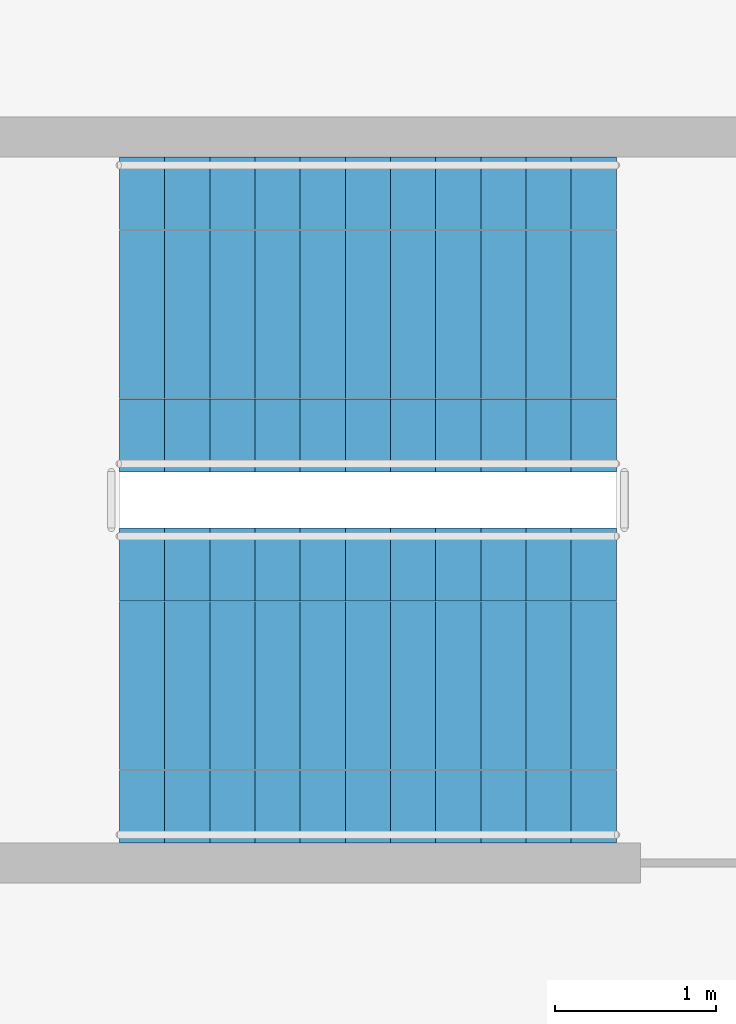
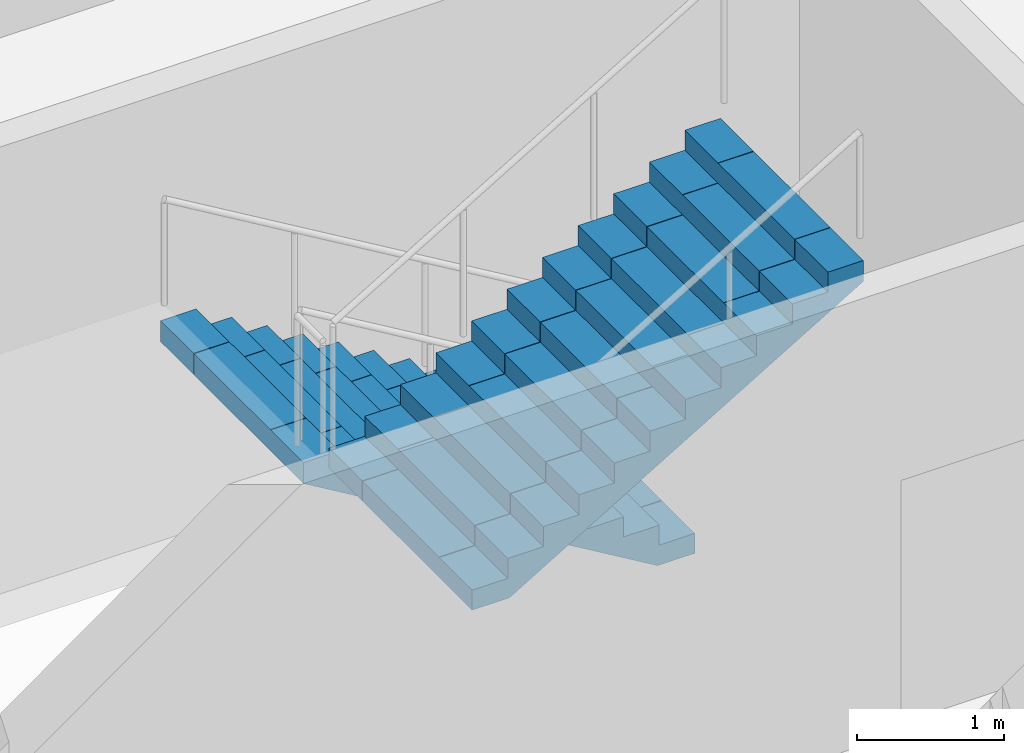
# One storey, part 13 of 15: 2 stair flights, 1 element without a shape of its own.
"""IFC4 building model written with IfcOpenShell, lengths in metres."""

from ifc_helpers import new_model, si_unit, direction, frame, origin, place, context, subcontext, project, spatial, polyline, outline, extrude, material, type_object, element, aggregate, save


model = new_model("IFC4")

# Units and contexts
model_context = context("Model", 3, precision=1e-05, world=origin(), true_north=direction((0.0, 1.0)))
body_context = subcontext(model_context, "Body", "Model", "MODEL_VIEW")
ifc_project = project(units=[si_unit("LENGTHUNIT", "METRE"), si_unit("AREAUNIT", "SQUARE_METRE"), si_unit("VOLUMEUNIT", "CUBIC_METRE"), si_unit("PLANEANGLEUNIT", "RADIAN"), si_unit("MASSUNIT", "GRAM", prefix="KILO")], contexts=[model_context])

# Site, building, storey
site_placement = place(None, origin())
site = spatial("IfcSite", under=ifc_project, at=site_placement, CompositionType="ELEMENT")
building_placement = place(site_placement, origin())
building = spatial("IfcBuilding", under=site, at=building_placement, Name="Corbelhall Arena Tower", CompositionType="ELEMENT")
storey_placement = place(building_placement, frame((0.0, 0.0, 200.0)))
storey = spatial("IfcBuildingStorey", under=building, at=storey_placement, Name="L41", CompositionType="ELEMENT", Elevation=200.0)

# Stair, stair flights
ifc_material = material(Name="Concrete C40/50", Category="concrete")
stair_type = type_object("IfcStairType", Name="IN-ST-TOWER", PredefinedType="HALF_TURN_STAIR", material=ifc_material)
stair_placement = place(storey_placement, origin())
stair = element("IfcStair", 1, at=stair_placement, inside=storey, type_object=stair_type, Name="L41 Exit stair ST3", PredefinedType="HALF_TURN_STAIR")
stair_flight_type = type_object("IfcStairFlightType", Name="IN-SFL-RC", PredefinedType="STRAIGHT", material=ifc_material)
stair_flight_1_placement = place(storey_placement, frame((11.425048828125, 15.699951171875, 0.0), z_axis=(0.0, 0.0, 1.0), x_axis=(-1.0, 0.0, 0.0)))
stair_flight_1 = element("IfcStairFlight", 2, at=stair_flight_1_placement, type_object=stair_flight_type, Name="ST3 flight 1", NumberOfRisers=12, NumberOfTreads=11, PredefinedType="STRAIGHT", RiserHeight=0.166666667, TreadLength=0.28, context=body_context, shape_type="SweptSolid", body=[
    extrude(outline(polyline([(0.0, 0.0), (0.0, 0.166748046875), (0.280029296875, 0.166748046875), (0.280029296875, 0.333251953125), (0.56005859375, 0.333251953125), (0.56005859375, 0.5), (0.840087890625, 0.5), (0.840087890625, 0.666748046875), (1.1201171875, 0.666748046875), (1.1201171875, 0.833251953125), (1.39990234375, 0.833251953125), (1.39990234375, 1.0), (1.679931640625, 1.0), (1.679931640625, 1.166748046875), (1.9599609375, 1.166748046875), (1.9599609375, 1.333251953125), (2.239990234375, 1.333251953125), (2.239990234375, 1.5), (2.52001953125, 1.5), (2.52001953125, 1.666748046875), (2.800048828125, 1.666748046875), (2.800048828125, 1.833251953125), (3.080078125, 1.833251953125), (3.080078125, 2.0), (3.080078125, 1.658935546875), (0.29296875, 0.0), (0.0, 0.0)])), frame((0.0, 0.97509765625, 0.0), z_axis=(0.0, -1.0, 0.0), x_axis=(1.0, 0.0, 0.0)), (0.0, 0.0, 1.0), 0.449951171875),
    extrude(outline(polyline([(0.0, 0.0), (0.0, 0.166748046875), (0.280029296875, 0.166748046875), (0.280029296875, 0.333251953125), (0.56005859375, 0.333251953125), (0.56005859375, 0.5), (0.840087890625, 0.5), (0.840087890625, 0.666748046875), (1.1201171875, 0.666748046875), (1.1201171875, 0.833251953125), (1.39990234375, 0.833251953125), (1.39990234375, 1.0), (1.679931640625, 1.0), (1.679931640625, 1.166748046875), (1.9599609375, 1.166748046875), (1.9599609375, 1.333251953125), (2.239990234375, 1.333251953125), (2.239990234375, 1.5), (2.52001953125, 1.5), (2.52001953125, 1.666748046875), (2.800048828125, 1.666748046875), (2.800048828125, 1.833251953125), (3.080078125, 1.833251953125), (3.080078125, 2.0), (3.080078125, 1.658935546875), (0.29296875, 0.0), (0.0, 0.0)])), frame((0.0, 0.52099609375, 0.0), z_axis=(0.0, -1.0, 0.0), x_axis=(1.0, 0.0, 0.0)), (0.0, 0.0, 1.0), 1.0419921875),
    extrude(outline(polyline([(0.0, 0.0), (0.0, 0.166748046875), (0.280029296875, 0.166748046875), (0.280029296875, 0.333251953125), (0.56005859375, 0.333251953125), (0.56005859375, 0.5), (0.840087890625, 0.5), (0.840087890625, 0.666748046875), (1.1201171875, 0.666748046875), (1.1201171875, 0.833251953125), (1.39990234375, 0.833251953125), (1.39990234375, 1.0), (1.679931640625, 1.0), (1.679931640625, 1.166748046875), (1.9599609375, 1.166748046875), (1.9599609375, 1.333251953125), (2.239990234375, 1.333251953125), (2.239990234375, 1.5), (2.52001953125, 1.5), (2.52001953125, 1.666748046875), (2.800048828125, 1.666748046875), (2.800048828125, 1.833251953125), (3.080078125, 1.833251953125), (3.080078125, 2.0), (3.080078125, 1.658935546875), (0.29296875, 0.0), (0.0, 0.0)])), frame((0.0, -0.52490234375, 0.0), z_axis=(0.0, -1.0, 0.0), x_axis=(1.0, 0.0, 0.0)), (0.0, 0.0, 1.0), 0.449951171875),
])
stair_flight_2_placement = place(storey_placement, frame((8.344970703125, 13.39990234375, 2.0), z_axis=(0.0, 0.0, 1.0), x_axis=(1.0, 0.0, 0.0)))
stair_flight_2 = element("IfcStairFlight", 3, at=stair_flight_2_placement, type_object=stair_flight_type, Name="ST3 flight 2", NumberOfRisers=12, NumberOfTreads=11, PredefinedType="STRAIGHT", RiserHeight=0.166666667, TreadLength=0.28, context=body_context, shape_type="SweptSolid", body=[
    extrude(outline(polyline([(0.0, 0.0), (0.0, 0.166748046875), (0.280029296875, 0.166748046875), (0.280029296875, 0.333251953125), (0.56005859375, 0.333251953125), (0.56005859375, 0.5), (0.840087890625, 0.5), (0.840087890625, 0.666748046875), (1.1201171875, 0.666748046875), (1.1201171875, 0.833251953125), (1.39990234375, 0.833251953125), (1.39990234375, 1.0), (1.679931640625, 1.0), (1.679931640625, 1.166748046875), (1.9599609375, 1.166748046875), (1.9599609375, 1.333251953125), (2.239990234375, 1.333251953125), (2.239990234375, 1.5), (2.52001953125, 1.5), (2.52001953125, 1.666748046875), (2.800048828125, 1.666748046875), (2.800048828125, 1.833251953125), (3.080078125, 1.833251953125), (3.080078125, 2.0), (3.080078125, 1.658935546875), (0.29296875, 0.0), (0.0, 0.0)])), frame((0.0, 0.97509765625, 0.0), z_axis=(0.0, -1.0, 0.0), x_axis=(1.0, 0.0, 0.0)), (0.0, 0.0, 1.0), 0.449951171875),
    extrude(outline(polyline([(0.0, 0.0), (0.0, 0.166748046875), (0.280029296875, 0.166748046875), (0.280029296875, 0.333251953125), (0.56005859375, 0.333251953125), (0.56005859375, 0.5), (0.840087890625, 0.5), (0.840087890625, 0.666748046875), (1.1201171875, 0.666748046875), (1.1201171875, 0.833251953125), (1.39990234375, 0.833251953125), (1.39990234375, 1.0), (1.679931640625, 1.0), (1.679931640625, 1.166748046875), (1.9599609375, 1.166748046875), (1.9599609375, 1.333251953125), (2.239990234375, 1.333251953125), (2.239990234375, 1.5), (2.52001953125, 1.5), (2.52001953125, 1.666748046875), (2.800048828125, 1.666748046875), (2.800048828125, 1.833251953125), (3.080078125, 1.833251953125), (3.080078125, 2.0), (3.080078125, 1.658935546875), (0.29296875, 0.0), (0.0, 0.0)])), frame((0.0, 0.52099609375, 0.0), z_axis=(0.0, -1.0, 0.0), x_axis=(1.0, 0.0, 0.0)), (0.0, 0.0, 1.0), 1.0419921875),
    extrude(outline(polyline([(0.0, 0.0), (0.0, 0.166748046875), (0.280029296875, 0.166748046875), (0.280029296875, 0.333251953125), (0.56005859375, 0.333251953125), (0.56005859375, 0.5), (0.840087890625, 0.5), (0.840087890625, 0.666748046875), (1.1201171875, 0.666748046875), (1.1201171875, 0.833251953125), (1.39990234375, 0.833251953125), (1.39990234375, 1.0), (1.679931640625, 1.0), (1.679931640625, 1.166748046875), (1.9599609375, 1.166748046875), (1.9599609375, 1.333251953125), (2.239990234375, 1.333251953125), (2.239990234375, 1.5), (2.52001953125, 1.5), (2.52001953125, 1.666748046875), (2.800048828125, 1.666748046875), (2.800048828125, 1.833251953125), (3.080078125, 1.833251953125), (3.080078125, 2.0), (3.080078125, 1.658935546875), (0.29296875, 0.0), (0.0, 0.0)])), frame((0.0, -0.52490234375, 0.0), z_axis=(0.0, -1.0, 0.0), x_axis=(1.0, 0.0, 0.0)), (0.0, 0.0, 1.0), 0.449951171875),
])
aggregate(stair, [stair_flight_1, stair_flight_2])

save(model, "model.ifc")
